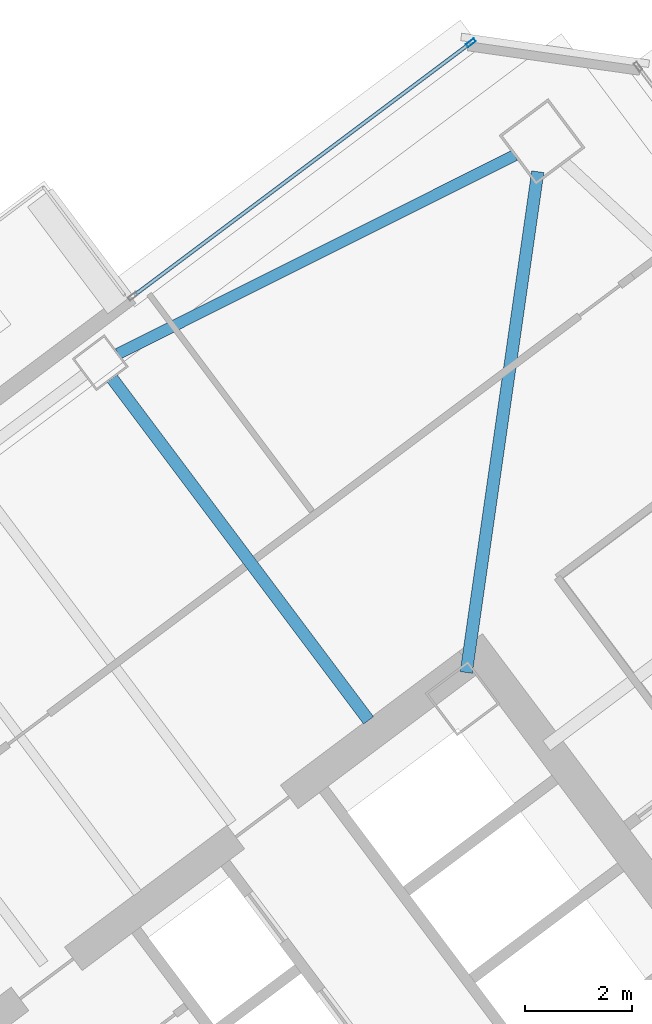
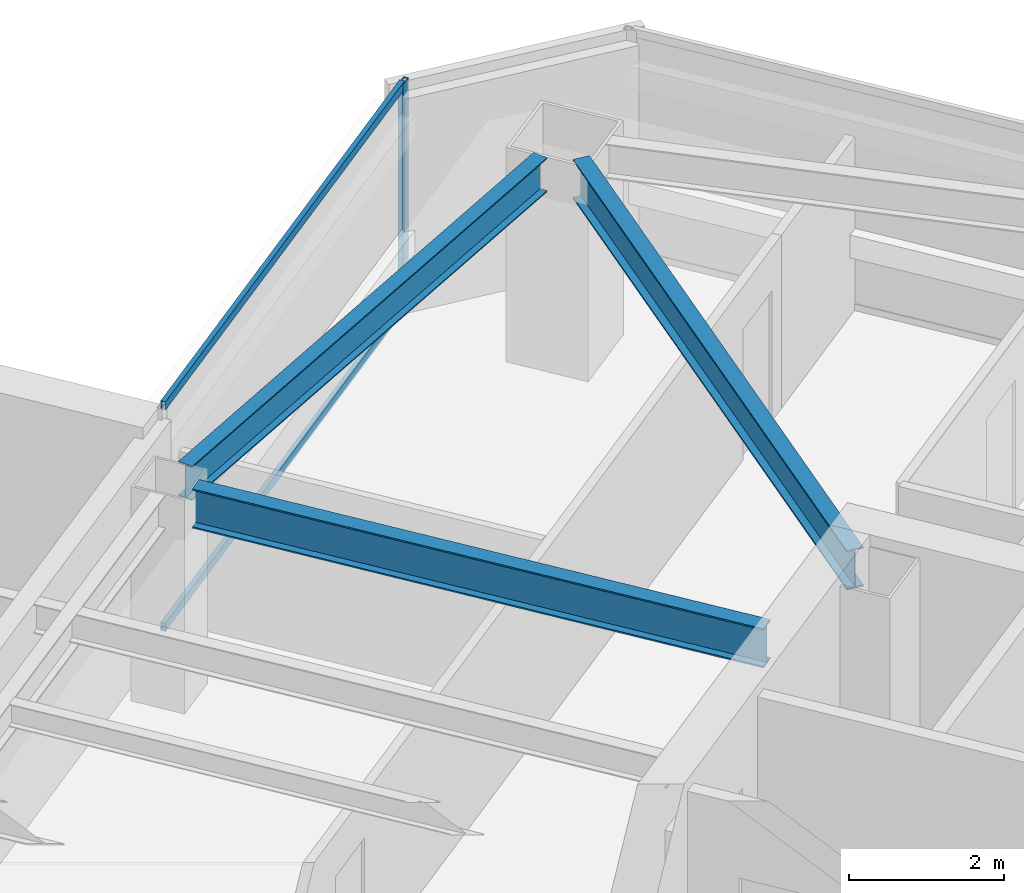
# One storey, part 28 of 43: 3 beams, 3 members, 1 element without a shape of its own.
"""IFC4 building model written with IfcOpenShell, lengths in metres."""

from ifc_helpers import new_model, si_unit, direction, frame, origin, origin_2d, place, context, subcontext, project, spatial, hollow_rectangle, i_section, extrude, material, material_profile, profile_set, type_object, element, aggregate, save


model = new_model("IFC4")

# Units and contexts
model_context = context("Model", 3, precision=1e-05, world=origin(), true_north=direction((0.0, 1.0)))
body_context = subcontext(model_context, "Body", "Model", "MODEL_VIEW")
ifc_project = project(units=[si_unit("LENGTHUNIT", "METRE"), si_unit("AREAUNIT", "SQUARE_METRE"), si_unit("VOLUMEUNIT", "CUBIC_METRE"), si_unit("PLANEANGLEUNIT", "RADIAN"), si_unit("MASSUNIT", "GRAM", prefix="KILO")], contexts=[model_context])

# Site, building, storey
site_placement = place(None, origin())
site = spatial("IfcSite", under=ifc_project, at=site_placement, CompositionType="ELEMENT")
building_placement = place(site_placement, origin())
building = spatial("IfcBuilding", under=site, at=building_placement, Name="Tashvorn Skyway Center", CompositionType="ELEMENT")
storey_placement = place(building_placement, frame((0.0, 0.0, 188.949951171875)))
storey = spatial("IfcBuildingStorey", under=building, at=storey_placement, Name="L51", CompositionType="ELEMENT", Elevation=188.949951171875)

# Beams
ifc_material_1 = material(Name="Steel ASTM A992 Grade 50", Category="steel")
ifc_material_profile_1 = material_profile(ifc_material_1, i_section(OverallWidth=0.22998046875, OverallDepth=0.616943359375, WebThickness=0.01318359375, FlangeThickness=0.022216796875, at=origin_2d()), Name="W24X94")
ifc_profile_set_1 = profile_set([ifc_material_profile_1], Name="Steel ASTM A992 Grade 50")
beam_type_1 = type_object("IfcBeamType", Name="BM-BEAM-W24X94", PredefinedType="BEAM", material=ifc_profile_set_1)
beam_1_placement = place(storey_placement, frame((116.8193359375, 51.73583984375, 3.0615234375), z_axis=(-0.141417747326, -0.989950009213, 0.0), x_axis=(0.989950009213, -0.141417747326, 0.0)))
element("IfcBeam", 1, at=beam_1_placement, inside=storey, type_object=beam_type_1, Name="Tower 2 L51 Primary Floor Girder MC-NE", PredefinedType="BEAM", context=body_context, shape_type="SweptSolid", body=[
    extrude(i_section(OverallWidth=0.22998046875, OverallDepth=0.616943359375, WebThickness=0.01318359375, FlangeThickness=0.022216796875, at=origin_2d()), origin(), (0.0, 0.0, 1.0), 9.470947265625),
])
beam_2_placement = place(storey_placement, frame((108.85205078125, 47.864013671875, 3.0615234375), z_axis=(0.60000976564, -0.799992675677, 0.0), x_axis=(0.799992675677, 0.60000976564, 0.0)))
element("IfcBeam", 2, at=beam_2_placement, inside=storey, type_object=beam_type_1, Name="Tower 2 L51 Primary Floor Girder FC-N1", PredefinedType="BEAM", context=body_context, shape_type="SweptSolid", body=[
    extrude(i_section(OverallWidth=0.22998046875, OverallDepth=0.616943359375, WebThickness=0.01318359375, FlangeThickness=0.022216796875, at=origin_2d()), origin(), (0.0, 0.0, 1.0), 8.0),
])
ifc_material_profile_2 = material_profile(ifc_material_1, i_section(OverallWidth=0.2109375, OverallDepth=0.5390625, WebThickness=0.01171875, FlangeThickness=0.018798828125, at=origin_2d()), Name="W21X73")
ifc_profile_set_2 = profile_set([ifc_material_profile_2], Name="Steel ASTM A992 Grade 50")
beam_type_2 = type_object("IfcBeamType", Name="BM-SPANDREL-W21X73", PredefinedType="SPANDREL", material=ifc_profile_set_2)
beam_3_placement = place(storey_placement, frame((116.390380859375, 52.044921875, 3.1005859375), z_axis=(-0.894209637559, -0.447648438059, 0.0), x_axis=(0.447648438059, -0.894209637559, 0.0)))
element("IfcBeam", 3, at=beam_3_placement, inside=storey, type_object=beam_type_2, Name="Tower 2 L51 Spandrel Beam 07", PredefinedType="SPANDREL", context=body_context, shape_type="SweptSolid", body=[
    extrude(i_section(OverallWidth=0.2109375, OverallDepth=0.5390625, WebThickness=0.01171875, FlangeThickness=0.018798828125, at=origin_2d()), origin(), (0.0, 0.0, 1.0), 8.308349609375),
])

# Curtain wall, members
ifc_material_2 = material(Name="Thermally broken bronze-anodized aluminium 6063-T6", Category="aluminium")
curtain_wall_type = type_object("IfcCurtainWallType", Name="CW-CW-Z4", PredefinedType="NOTDEFINED", material=ifc_material_2)
curtain_wall_placement = place(storey_placement, origin())
curtain_wall = element("IfcCurtainWall", 4, at=curtain_wall_placement, inside=storey, type_object=curtain_wall_type, Name="Tower 2 L51 North Curtain Wall R", PredefinedType="NOTDEFINED")
ifc_material_profile_3 = material_profile(ifc_material_2, hollow_rectangle(XDim=0.070068359375, YDim=0.179931640625, WallThickness=0.00390625, at=origin_2d()), Name="ALU-MULL-70x180")
ifc_profile_set_3 = profile_set([ifc_material_profile_3], Name="Thermally broken bronze-anodized aluminium 6063-T6")
member_type_1 = type_object("IfcMemberType", Name="CWM-CW-Z4", PredefinedType="MULLION", material=ifc_profile_set_3)
member_1_placement = place(storey_placement, frame((115.568115234375, 54.15087890625, 0.0), z_axis=(0.0, 0.0, 1.0), x_axis=(-0.600000000002, 0.799999999998, 0.0)))
member_1 = element("IfcMember", 5, at=member_1_placement, type_object=member_type_1, Name="CW-Z4 mullion 2", PredefinedType="MULLION", context=body_context, shape_type="SweptSolid", body=[
    extrude(hollow_rectangle(XDim=0.070068359375, YDim=0.179931640625, WallThickness=0.00390625, at=origin_2d()), origin(), (0.0, 0.0, 1.0), 3.550048828125),
])
ifc_material_profile_4 = material_profile(ifc_material_2, hollow_rectangle(XDim=0.070068359375, YDim=0.1298828125, WallThickness=0.00390625, at=origin_2d()), Name="ALU-TRAN-70x130")
ifc_profile_set_4 = profile_set([ifc_material_profile_4], Name="Thermally broken bronze-anodized aluminium 6063-T6")
member_type_2 = type_object("IfcMemberType", Name="CWT-CW-Z4", PredefinedType="USERDEFINED", material=ifc_profile_set_4)
member_2_placement = place(storey_placement, frame((109.26806640625, 49.426025390625, 0.03515625), z_axis=(0.800007473733, 0.599990034893, 0.0), x_axis=(-0.599990034893, 0.800007473733, 0.0)))
member_2 = element("IfcMember", 6, at=member_2_placement, type_object=member_type_2, Name="CW-Z4 transom 1.1", ObjectType="TRANSOM", PredefinedType="USERDEFINED", context=body_context, shape_type="SweptSolid", body=[
    extrude(hollow_rectangle(XDim=0.070068359375, YDim=0.1298828125, WallThickness=0.00390625, at=origin_2d()), origin(), (0.0, 0.0, 1.0), 7.83984375),
])
member_3_placement = place(storey_placement, frame((109.26806640625, 49.426025390625, 3.51513671875), z_axis=(0.800007473733, 0.599990034893, 0.0), x_axis=(-0.599990034893, 0.800007473733, 0.0)))
member_3 = element("IfcMember", 7, at=member_3_placement, type_object=member_type_2, Name="CW-Z4 transom 1.2", ObjectType="TRANSOM", PredefinedType="USERDEFINED", context=body_context, shape_type="SweptSolid", body=[
    extrude(hollow_rectangle(XDim=0.070068359375, YDim=0.1298828125, WallThickness=0.00390625, at=origin_2d()), origin(), (0.0, 0.0, 1.0), 7.83984375),
])
aggregate(curtain_wall, [member_1, member_2, member_3])

save(model, "model.ifc")
